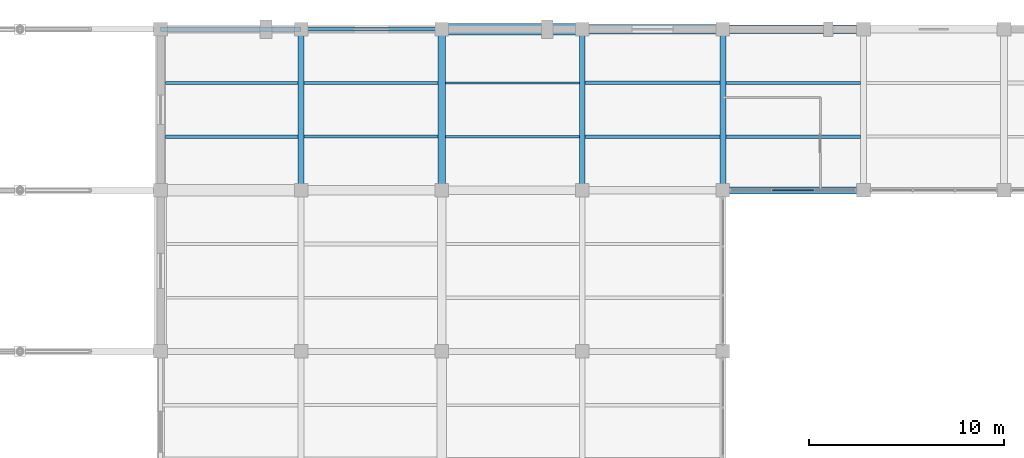
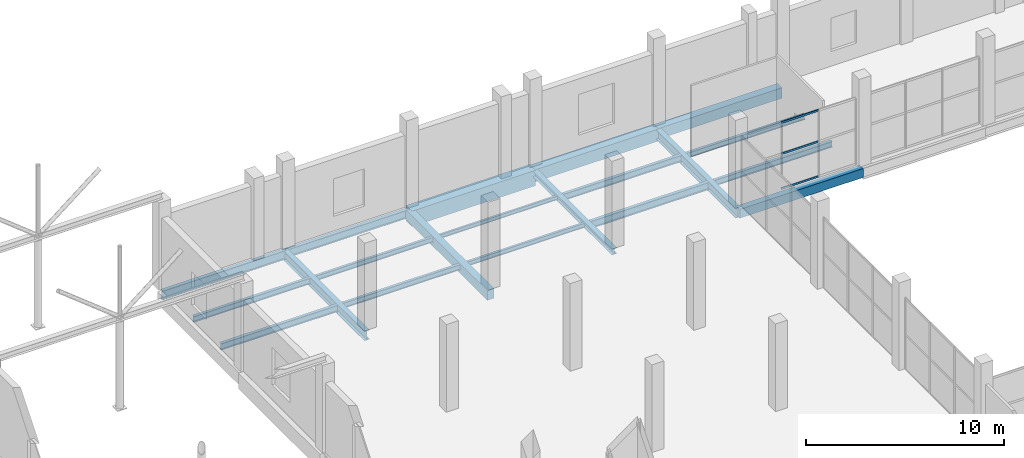
# One storey, part 75 of 147: 20 beams, 3 members, 1 element without a shape of its own.
"""IFC4 building model written with IfcOpenShell, lengths in metres."""

from ifc_helpers import new_model, si_unit, direction, frame, origin, origin_2d, place, context, subcontext, project, spatial, rectangle, hollow_rectangle, i_section, extrude, material, layer, layer_set, material_profile, profile_set, type_object, element, aggregate, save


model = new_model("IFC4")

# Units and contexts
model_context = context("Model", 3, precision=1e-05, world=origin(), true_north=direction((0.0, 1.0)))
body_context = subcontext(model_context, "Body", "Model", "MODEL_VIEW")
ifc_project = project(units=[si_unit("LENGTHUNIT", "METRE"), si_unit("AREAUNIT", "SQUARE_METRE"), si_unit("VOLUMEUNIT", "CUBIC_METRE"), si_unit("PLANEANGLEUNIT", "RADIAN"), si_unit("MASSUNIT", "GRAM", prefix="KILO")], contexts=[model_context])

# Site, building, storey
site_placement = place(None, origin())
site = spatial("IfcSite", under=ifc_project, at=site_placement, CompositionType="ELEMENT")
building_placement = place(site_placement, origin())
building = spatial("IfcBuilding", under=site, at=building_placement, Name="Sundgate Opera House", CompositionType="ELEMENT")
storey_placement = place(building_placement, frame((0.0, 0.0, 6.0)))
storey = spatial("IfcBuildingStorey", under=building, at=storey_placement, Name="L01", CompositionType="ELEMENT", Elevation=6.0)

# Beams
ifc_material_1 = material(Name="Steel S355J2", Category="steel")
ifc_material_profile_1 = material_profile(ifc_material_1, i_section(OverallWidth=0.300048828125, OverallDepth=0.35009765625, WebThickness=0.010009765625, FlangeThickness=0.017578125, at=origin_2d()), Name="HEA 360")
ifc_profile_set_1 = profile_set([ifc_material_profile_1], Name="Steel S355J2")
beam_type_1 = type_object("IfcBeamType", Name="BM-GR-HEA360", PredefinedType="BEAM", material=ifc_profile_set_1)
beam_1_placement = place(storey_placement, frame((117.0, 111.75, -0.47509765625), z_axis=(0.0, 1.0, 0.0), x_axis=(-1.0, 0.0, 0.0)))
element("IfcBeam", 1, at=beam_1_placement, inside=storey, type_object=beam_type_1, Name="L01 Primary N-S Girder B1194", PredefinedType="BEAM", context=body_context, shape_type="SweptSolid", body=[
    extrude(i_section(OverallWidth=0.300048828125, OverallDepth=0.35009765625, WebThickness=0.010009765625, FlangeThickness=0.017578125, at=origin_2d()), origin(), (0.0, 0.0, 1.0), 8.25),
])
ifc_material_2 = material(Name="Steel S355J2", Category="steel")
ifc_material_profile_2 = material_profile(ifc_material_2, i_section(OverallWidth=0.300048828125, OverallDepth=0.590087890625, WebThickness=0.012939453125, FlangeThickness=0.02490234375, at=origin_2d()), Name="HEA 600")
ifc_profile_set_2 = profile_set([ifc_material_profile_2], Name="Steel S355J2")
beam_type_2 = type_object("IfcBeamType", Name="BM-GR-HEA600", PredefinedType="BEAM", material=ifc_profile_set_2)
beam_2_placement = place(storey_placement, frame((102.60009765625, 111.75, -0.594970703125), z_axis=(0.0, 1.0, 0.0), x_axis=(-1.0, 0.0, 0.0)))
element("IfcBeam", 2, at=beam_2_placement, inside=storey, type_object=beam_type_2, Name="L01 Primary N-S Girder B1168", PredefinedType="BEAM", context=body_context, shape_type="SweptSolid", body=[
    extrude(i_section(OverallWidth=0.300048828125, OverallDepth=0.590087890625, WebThickness=0.012939453125, FlangeThickness=0.02490234375, at=origin_2d()), origin(), (0.0, 0.0, 1.0), 8.25),
])
ifc_material_3 = material(Name="Steel S355J2", Category="steel")
ifc_material_profile_3 = material_profile(ifc_material_3, i_section(OverallWidth=0.300048828125, OverallDepth=0.60009765625, WebThickness=0.015380859375, FlangeThickness=0.030029296875, at=origin_2d()), Name="HEB 600")
ifc_profile_set_3 = profile_set([ifc_material_profile_3], Name="Steel S355J2")
beam_type_3 = type_object("IfcBeamType", Name="BM-GR-HEB600", PredefinedType="BEAM", material=ifc_profile_set_3)
beam_3_placement = place(storey_placement, frame((124.199951171875, 111.75, -0.60009765625), z_axis=(0.0, 1.0, 0.0), x_axis=(-1.0, 0.0, 0.0)))
element("IfcBeam", 3, at=beam_3_placement, inside=storey, type_object=beam_type_3, Name="L01 Primary N-S Girder B1206", PredefinedType="BEAM", context=body_context, shape_type="SweptSolid", body=[
    extrude(i_section(OverallWidth=0.300048828125, OverallDepth=0.60009765625, WebThickness=0.015380859375, FlangeThickness=0.030029296875, at=origin_2d()), origin(), (0.0, 0.0, 1.0), 8.25),
])
ifc_material_4 = material(Name="Steel S355J2", Category="steel")
ifc_material_profile_4 = material_profile(ifc_material_4, i_section(OverallWidth=0.199951171875, OverallDepth=0.5, WebThickness=0.01025390625, FlangeThickness=0.01611328125, at=origin_2d()), Name="IPE 500")
ifc_profile_set_4 = profile_set([ifc_material_profile_4], Name="Steel S355J2")
beam_type_4 = type_object("IfcBeamType", Name="BM-GR-IPE500", PredefinedType="BEAM", material=ifc_profile_set_4)
beam_4_placement = place(storey_placement, frame((102.60009765625, 120.0, -0.550048828125), z_axis=(1.0, 0.0, 0.0), x_axis=(0.0, 1.0, 0.0)))
element("IfcBeam", 4, at=beam_4_placement, inside=storey, type_object=beam_type_4, Name="L01 Primary E-W Girder B1462", PredefinedType="BEAM", context=body_context, shape_type="SweptSolid", body=[
    extrude(i_section(OverallWidth=0.199951171875, OverallDepth=0.5, WebThickness=0.01025390625, FlangeThickness=0.01611328125, at=origin_2d()), origin(), (0.0, 0.0, 1.0), 7.199951171875),
])
ifc_material_5 = material(Name="Steel S355J2", Category="steel")
ifc_material_profile_5 = material_profile(ifc_material_5, i_section(OverallWidth=0.2099609375, OverallDepth=0.550048828125, WebThickness=0.010986328125, FlangeThickness=0.01708984375, at=origin_2d()), Name="IPE 550")
ifc_profile_set_5 = profile_set([ifc_material_profile_5], Name="Steel S355J2")
beam_type_5 = type_object("IfcBeamType", Name="BM-GR-IPE550", PredefinedType="BEAM", material=ifc_profile_set_5)
beam_5_placement = place(storey_placement, frame((95.39990234375, 120.0, -0.574951171875), z_axis=(1.0, 0.0, 0.0), x_axis=(0.0, 1.0, 0.0)))
element("IfcBeam", 5, at=beam_5_placement, inside=storey, type_object=beam_type_5, Name="L01 Primary E-W Girder B1461", PredefinedType="BEAM", context=body_context, shape_type="SweptSolid", body=[
    extrude(i_section(OverallWidth=0.2099609375, OverallDepth=0.550048828125, WebThickness=0.010986328125, FlangeThickness=0.01708984375, at=origin_2d()), origin(), (0.0, 0.0, 1.0), 7.2001953125),
])
ifc_material_6 = material(Name="Steel S355J2", Category="steel")
ifc_material_profile_6 = material_profile(ifc_material_6, i_section(OverallWidth=0.1201171875, OverallDepth=0.239990234375, WebThickness=0.006103515625, FlangeThickness=0.009765625, at=origin_2d()), Name="IPE 240")
ifc_profile_set_6 = profile_set([ifc_material_profile_6], Name="Steel S355J2")
beam_type_6 = type_object("IfcBeamType", Name="BM-JS-IPE240", PredefinedType="JOIST", material=ifc_profile_set_6)
beam_6_placement = place(storey_placement, frame((110.0, 117.25, -0.419921875), z_axis=(1.0, 0.0, 0.0), x_axis=(0.0, 1.0, 0.0)))
element("IfcBeam", 6, at=beam_6_placement, inside=storey, type_object=beam_type_6, Name="L01 Secondary Floor Joist B1763", PredefinedType="JOIST", context=body_context, shape_type="SweptSolid", body=[
    extrude(i_section(OverallWidth=0.1201171875, OverallDepth=0.239990234375, WebThickness=0.006103515625, FlangeThickness=0.009765625, at=origin_2d()), origin(), (0.0, 0.0, 1.0), 6.85009765625),
])
ifc_material_7 = material(Name="Steel S355J2", Category="steel")
ifc_material_profile_7 = material_profile(ifc_material_7, i_section(OverallWidth=0.135009765625, OverallDepth=0.27001953125, WebThickness=0.006591796875, FlangeThickness=0.01025390625, at=origin_2d()), Name="IPE 270")
ifc_profile_set_7 = profile_set([ifc_material_profile_7], Name="Steel S355J2")
beam_type_7 = type_object("IfcBeamType", Name="BM-JS-IPE270", PredefinedType="JOIST", material=ifc_profile_set_7)
beam_7_placement = place(storey_placement, frame((110.0, 114.5, -0.43505859375), z_axis=(1.0, 0.0, 0.0), x_axis=(0.0, 1.0, 0.0)))
element("IfcBeam", 7, at=beam_7_placement, inside=storey, type_object=beam_type_7, Name="L01 Secondary Floor Joist B1762", PredefinedType="JOIST", context=body_context, shape_type="SweptSolid", body=[
    extrude(i_section(OverallWidth=0.135009765625, OverallDepth=0.27001953125, WebThickness=0.006591796875, FlangeThickness=0.01025390625, at=origin_2d()), origin(), (0.0, 0.0, 1.0), 6.85009765625),
])
ifc_material_8 = material(Name="Steel S355J2", Category="steel")
ifc_material_profile_8 = material_profile(ifc_material_8, i_section(OverallWidth=0.14990234375, OverallDepth=0.300048828125, WebThickness=0.007080078125, FlangeThickness=0.0107421875, at=origin_2d()), Name="IPE 300")
ifc_profile_set_8 = profile_set([ifc_material_profile_8], Name="Steel S355J2")
beam_type_8 = type_object("IfcBeamType", Name="BM-JS-IPE300", PredefinedType="JOIST", material=ifc_profile_set_8)
beam_8_placement = place(storey_placement, frame((102.75, 117.25, -0.449951171875), z_axis=(1.0, 0.0, 0.0), x_axis=(0.0, 1.0, 0.0)))
element("IfcBeam", 8, at=beam_8_placement, inside=storey, type_object=beam_type_8, Name="L01 Secondary Floor Joist B1761", PredefinedType="JOIST", context=body_context, shape_type="SweptSolid", body=[
    extrude(i_section(OverallWidth=0.14990234375, OverallDepth=0.300048828125, WebThickness=0.007080078125, FlangeThickness=0.0107421875, at=origin_2d()), origin(), (0.0, 0.0, 1.0), 6.85009765625),
])
ifc_material_9 = material(Name="Steel S355J2", Category="steel")
ifc_material_profile_9 = material_profile(ifc_material_9, i_section(OverallWidth=0.159912109375, OverallDepth=0.330078125, WebThickness=0.007568359375, FlangeThickness=0.011474609375, at=origin_2d()), Name="IPE 330")
ifc_profile_set_9 = profile_set([ifc_material_profile_9], Name="Steel S355J2")
beam_type_9 = type_object("IfcBeamType", Name="BM-JS-IPE330", PredefinedType="JOIST", material=ifc_profile_set_9)
beam_9_placement = place(storey_placement, frame((102.75, 114.5, -0.465087890625), z_axis=(1.0, 0.0, 0.0), x_axis=(0.0, 1.0, 0.0)))
element("IfcBeam", 9, at=beam_9_placement, inside=storey, type_object=beam_type_9, Name="L01 Secondary Floor Joist B1760", PredefinedType="JOIST", context=body_context, shape_type="SweptSolid", body=[
    extrude(i_section(OverallWidth=0.159912109375, OverallDepth=0.330078125, WebThickness=0.007568359375, FlangeThickness=0.011474609375, at=origin_2d()), origin(), (0.0, 0.0, 1.0), 6.85009765625),
])
beam_10_placement = place(storey_placement, frame((124.35009765625, 117.25, -0.465087890625), z_axis=(1.0, 0.0, 0.0), x_axis=(0.0, 1.0, 0.0)))
element("IfcBeam", 10, at=beam_10_placement, inside=storey, type_object=beam_type_9, Name="L01 Secondary Floor Joist B1767", PredefinedType="JOIST", context=body_context, shape_type="SweptSolid", body=[
    extrude(i_section(OverallWidth=0.159912109375, OverallDepth=0.330078125, WebThickness=0.007568359375, FlangeThickness=0.011474609375, at=origin_2d()), origin(), (0.0, 0.0, 1.0), 6.89990234375),
])
ifc_material_10 = material(Name="Steel S355J2", Category="steel")
ifc_material_profile_10 = material_profile(ifc_material_10, i_section(OverallWidth=0.169921875, OverallDepth=0.360107421875, WebThickness=0.008056640625, FlangeThickness=0.0126953125, at=origin_2d()), Name="IPE 360")
ifc_profile_set_10 = profile_set([ifc_material_profile_10], Name="Steel S355J2")
beam_type_10 = type_object("IfcBeamType", Name="BM-JS-IPE360", PredefinedType="JOIST", material=ifc_profile_set_10)
beam_11_placement = place(storey_placement, frame((95.64990234375, 117.25, -0.47998046875), z_axis=(1.0, 0.0, 0.0), x_axis=(0.0, 1.0, 0.0)))
element("IfcBeam", 11, at=beam_11_placement, inside=storey, type_object=beam_type_10, Name="L01 Secondary Floor Joist B1759", PredefinedType="JOIST", context=body_context, shape_type="SweptSolid", body=[
    extrude(i_section(OverallWidth=0.169921875, OverallDepth=0.360107421875, WebThickness=0.008056640625, FlangeThickness=0.0126953125, at=origin_2d()), origin(), (0.0, 0.0, 1.0), 6.800048828125),
])
beam_12_placement = place(storey_placement, frame((124.35009765625, 114.5, -0.47998046875), z_axis=(1.0, 0.0, 0.0), x_axis=(0.0, 1.0, 0.0)))
element("IfcBeam", 12, at=beam_12_placement, inside=storey, type_object=beam_type_10, Name="L01 Secondary Floor Joist B1766", PredefinedType="JOIST", context=body_context, shape_type="SweptSolid", body=[
    extrude(i_section(OverallWidth=0.169921875, OverallDepth=0.360107421875, WebThickness=0.008056640625, FlangeThickness=0.0126953125, at=origin_2d()), origin(), (0.0, 0.0, 1.0), 6.89990234375),
])
ifc_material_11 = material(Name="Steel S355J2", Category="steel")
ifc_material_profile_11 = material_profile(ifc_material_11, i_section(OverallWidth=0.179931640625, OverallDepth=0.39990234375, WebThickness=0.008544921875, FlangeThickness=0.013427734375, at=origin_2d()), Name="IPE 400")
ifc_profile_set_11 = profile_set([ifc_material_profile_11], Name="Steel S355J2")
beam_type_11 = type_object("IfcBeamType", Name="BM-JS-IPE400", PredefinedType="JOIST", material=ifc_profile_set_11)
beam_13_placement = place(storey_placement, frame((95.64990234375, 114.5, -0.5), z_axis=(1.0, 0.0, 0.0), x_axis=(0.0, 1.0, 0.0)))
element("IfcBeam", 13, at=beam_13_placement, inside=storey, type_object=beam_type_11, Name="L01 Secondary Floor Joist B1758", PredefinedType="JOIST", context=body_context, shape_type="SweptSolid", body=[
    extrude(i_section(OverallWidth=0.179931640625, OverallDepth=0.39990234375, WebThickness=0.008544921875, FlangeThickness=0.013427734375, at=origin_2d()), origin(), (0.0, 0.0, 1.0), 6.800048828125),
])
beam_14_placement = place(storey_placement, frame((117.14990234375, 117.25, -0.5), z_axis=(1.0, 0.0, 0.0), x_axis=(0.0, 1.0, 0.0)))
element("IfcBeam", 14, at=beam_14_placement, inside=storey, type_object=beam_type_11, Name="L01 Secondary Floor Joist B1765", PredefinedType="JOIST", context=body_context, shape_type="SweptSolid", body=[
    extrude(i_section(OverallWidth=0.179931640625, OverallDepth=0.39990234375, WebThickness=0.008544921875, FlangeThickness=0.013427734375, at=origin_2d()), origin(), (0.0, 0.0, 1.0), 6.900146484375),
])
ifc_material_12 = material(Name="Steel S355J2", Category="steel")
ifc_material_profile_12 = material_profile(ifc_material_12, i_section(OverallWidth=0.18994140625, OverallDepth=0.449951171875, WebThickness=0.009521484375, FlangeThickness=0.0146484375, at=origin_2d()), Name="IPE 450")
ifc_profile_set_12 = profile_set([ifc_material_profile_12], Name="Steel S355J2")
beam_type_12 = type_object("IfcBeamType", Name="BM-JS-IPE450", PredefinedType="JOIST", material=ifc_profile_set_12)
beam_15_placement = place(storey_placement, frame((117.14990234375, 114.5, -0.52490234375), z_axis=(1.0, 0.0, 0.0), x_axis=(0.0, 1.0, 0.0)))
element("IfcBeam", 15, at=beam_15_placement, inside=storey, type_object=beam_type_12, Name="L01 Secondary Floor Joist B1764", PredefinedType="JOIST", context=body_context, shape_type="SweptSolid", body=[
    extrude(i_section(OverallWidth=0.18994140625, OverallDepth=0.449951171875, WebThickness=0.009521484375, FlangeThickness=0.0146484375, at=origin_2d()), origin(), (0.0, 0.0, 1.0), 6.900146484375),
])
ifc_material_13 = material(Name="Concrete C35/45", Category="concrete")
ifc_material_profile_13 = material_profile(ifc_material_13, rectangle(XDim=0.35009765625, YDim=0.550048828125, at=origin_2d()), Name="RC 350x550")
ifc_profile_set_13 = profile_set([ifc_material_profile_13], Name="Concrete C35/45")
beam_type_13 = type_object("IfcBeamType", Name="BM-RC-350x550", PredefinedType="BEAM", material=ifc_profile_set_13)
beam_16_placement = place(storey_placement, frame((124.199951171875, 111.75, -0.574951171875), z_axis=(1.0, 0.0, 0.0), x_axis=(0.0, 1.0, 0.0)))
element("IfcBeam", 16, at=beam_16_placement, inside=storey, type_object=beam_type_13, Name="L01 Primary E-W Girder B1445", PredefinedType="BEAM", context=body_context, shape_type="SweptSolid", body=[
    extrude(rectangle(XDim=0.35009765625, YDim=0.550048828125, at=origin_2d()), origin(), (0.0, 0.0, 1.0), 7.199951171875),
])
ifc_material_14 = material(Name="Concrete C35/45", Category="concrete")
ifc_material_profile_14 = material_profile(ifc_material_14, rectangle(XDim=0.39990234375, YDim=0.60009765625, at=origin_2d()), Name="RC 400x600")
ifc_profile_set_14 = profile_set([ifc_material_profile_14], Name="Concrete C35/45")
beam_type_14 = type_object("IfcBeamType", Name="BM-RC-400x600", PredefinedType="BEAM", material=ifc_profile_set_14)
beam_17_placement = place(storey_placement, frame((109.800048828125, 111.75, -0.60009765625), z_axis=(0.0, 1.0, 0.0), x_axis=(-1.0, 0.0, 0.0)))
element("IfcBeam", 17, at=beam_17_placement, inside=storey, type_object=beam_type_14, Name="L01 Primary N-S Girder B1180", PredefinedType="BEAM", context=body_context, shape_type="SweptSolid", body=[
    extrude(rectangle(XDim=0.39990234375, YDim=0.60009765625, at=origin_2d()), origin(), (0.0, 0.0, 1.0), 8.25),
])
ifc_material_15 = material(Name="Concrete C35/45", Category="concrete")
ifc_material_profile_15 = material_profile(ifc_material_15, rectangle(XDim=0.449951171875, YDim=0.64990234375, at=origin_2d()), Name="RC 450x650")
ifc_profile_set_15 = profile_set([ifc_material_profile_15], Name="Concrete C35/45")
beam_type_15 = type_object("IfcBeamType", Name="BM-RC-450x650", PredefinedType="BEAM", material=ifc_profile_set_15)
beam_18_placement = place(storey_placement, frame((124.199951171875, 120.0, -0.625), z_axis=(1.0, 0.0, 0.0), x_axis=(0.0, 1.0, 0.0)))
element("IfcBeam", 18, at=beam_18_placement, inside=storey, type_object=beam_type_15, Name="L01 Primary E-W Girder B1465", PredefinedType="BEAM", context=body_context, shape_type="SweptSolid", body=[
    extrude(rectangle(XDim=0.449951171875, YDim=0.64990234375, at=origin_2d()), origin(), (0.0, 0.0, 1.0), 7.199951171875),
])
ifc_material_16 = material(Name="Concrete C40/50", Category="concrete")
ifc_material_profile_16 = material_profile(ifc_material_16, rectangle(XDim=0.5, YDim=0.75, at=origin_2d()), Name="RC 500x750")
ifc_profile_set_16 = profile_set([ifc_material_profile_16], Name="Concrete C40/50")
beam_type_16 = type_object("IfcBeamType", Name="BM-RC-500x750", PredefinedType="BEAM", material=ifc_profile_set_16)
beam_19_placement = place(storey_placement, frame((117.0, 120.0, -0.675048828125), z_axis=(1.0, 0.0, 0.0), x_axis=(0.0, 1.0, 0.0)))
element("IfcBeam", 19, at=beam_19_placement, inside=storey, type_object=beam_type_16, Name="L01 Primary E-W Girder B1464", PredefinedType="BEAM", context=body_context, shape_type="SweptSolid", body=[
    extrude(rectangle(XDim=0.5, YDim=0.75, at=origin_2d()), origin(), (0.0, 0.0, 1.0), 7.199951171875),
])
ifc_material_17 = material(Name="Concrete C40/50", Category="concrete")
ifc_material_profile_17 = material_profile(ifc_material_17, rectangle(XDim=0.60009765625, YDim=0.949951171875, at=origin_2d()), Name="RC 600x950")
ifc_profile_set_17 = profile_set([ifc_material_profile_17], Name="Concrete C40/50")
beam_type_17 = type_object("IfcBeamType", Name="BM-RC-600x950", PredefinedType="BEAM", material=ifc_profile_set_17)
beam_20_placement = place(storey_placement, frame((109.800048828125, 120.0, -0.77490234375), z_axis=(1.0, 0.0, 0.0), x_axis=(0.0, 1.0, 0.0)))
element("IfcBeam", 20, at=beam_20_placement, inside=storey, type_object=beam_type_17, Name="L01 Primary E-W Girder B1463", PredefinedType="BEAM", context=body_context, shape_type="SweptSolid", body=[
    extrude(rectangle(XDim=0.60009765625, YDim=0.949951171875, at=origin_2d()), origin(), (0.0, 0.0, 1.0), 7.199951171875),
])

# Curtain wall, members
ifc_material_18 = material(Name="Anodized aluminium and low-iron glass", Category="aluminium")
ifc_layer = layer(ifc_material_18, 0.159912109375)
ifc_layer_set = layer_set([ifc_layer], Name="Anodized aluminium and low-iron glass")
curtain_wall_type = type_object("IfcCurtainWallType", Name="CW-STUDIO-DARK", PredefinedType="NOTDEFINED", material=ifc_layer_set)
curtain_wall_placement = place(storey_placement, origin())
curtain_wall = element("IfcCurtainWall", 21, at=curtain_wall_placement, inside=storey, type_object=curtain_wall_type, Name="L01 Curtain Wall CW095", PredefinedType="NOTDEFINED")
ifc_material_19 = material(Name="Anodized aluminium EN AW-6063", Category="aluminium")
ifc_material_profile_18 = material_profile(ifc_material_19, hollow_rectangle(XDim=0.054931640625, YDim=0.1201171875, WallThickness=0.00390625, at=origin_2d()), Name="CWT 120x55x4")
ifc_profile_set_18 = profile_set([ifc_material_profile_18], Name="Anodized aluminium EN AW-6063")
member_type = type_object("IfcMemberType", Name="CWT-ALU-120x55", PredefinedType="USERDEFINED", material=ifc_profile_set_18)
member_1_placement = place(storey_placement, frame((128.875, 111.75, 0.0), z_axis=(-1.0, 0.0, 0.0), x_axis=(0.0, -1.0, 0.0)))
member_1 = element("IfcMember", 22, at=member_1_placement, type_object=member_type, Name="CW095 Transom 4", ObjectType="TRANSOM", PredefinedType="USERDEFINED", context=body_context, shape_type="SweptSolid", body=[
    extrude(hollow_rectangle(XDim=0.054931640625, YDim=0.1201171875, WallThickness=0.00390625, at=origin_2d()), origin(), (0.0, 0.0, 1.0), 2.14990234375),
])
member_2_placement = place(storey_placement, frame((128.875, 111.75, 2.14990234375), z_axis=(-1.0, 0.0, 0.0), x_axis=(0.0, -1.0, 0.0)))
member_2 = element("IfcMember", 23, at=member_2_placement, type_object=member_type, Name="CW095 Transom 5", ObjectType="TRANSOM", PredefinedType="USERDEFINED", context=body_context, shape_type="SweptSolid", body=[
    extrude(hollow_rectangle(XDim=0.054931640625, YDim=0.1201171875, WallThickness=0.00390625, at=origin_2d()), origin(), (0.0, 0.0, 1.0), 2.14990234375),
])
member_3_placement = place(storey_placement, frame((128.875, 111.75, 4.06494140625), z_axis=(-1.0, 0.0, 0.0), x_axis=(0.0, -1.0, 0.0)))
member_3 = element("IfcMember", 24, at=member_3_placement, type_object=member_type, Name="CW095 Transom 6", ObjectType="TRANSOM", PredefinedType="USERDEFINED", context=body_context, shape_type="SweptSolid", body=[
    extrude(hollow_rectangle(XDim=0.054931640625, YDim=0.1201171875, WallThickness=0.00390625, at=origin_2d()), origin(), (0.0, 0.0, 1.0), 2.14990234375),
])
aggregate(curtain_wall, [member_1, member_2, member_3])

save(model, "model.ifc")
